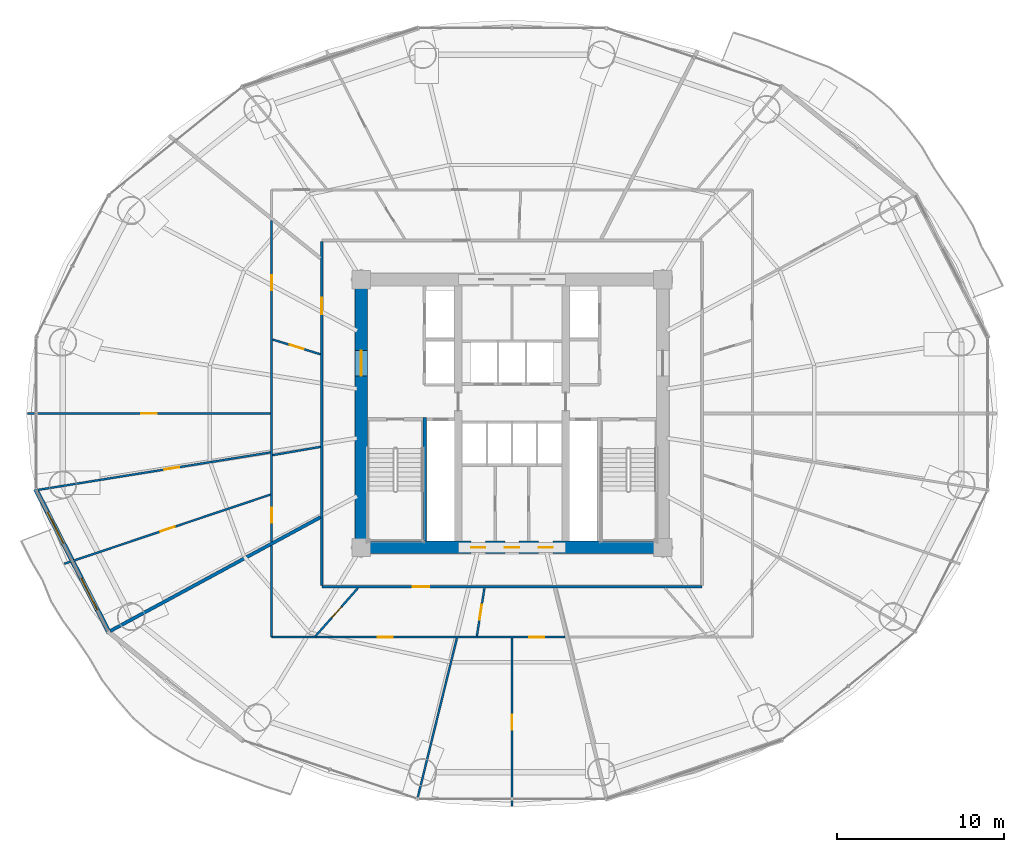
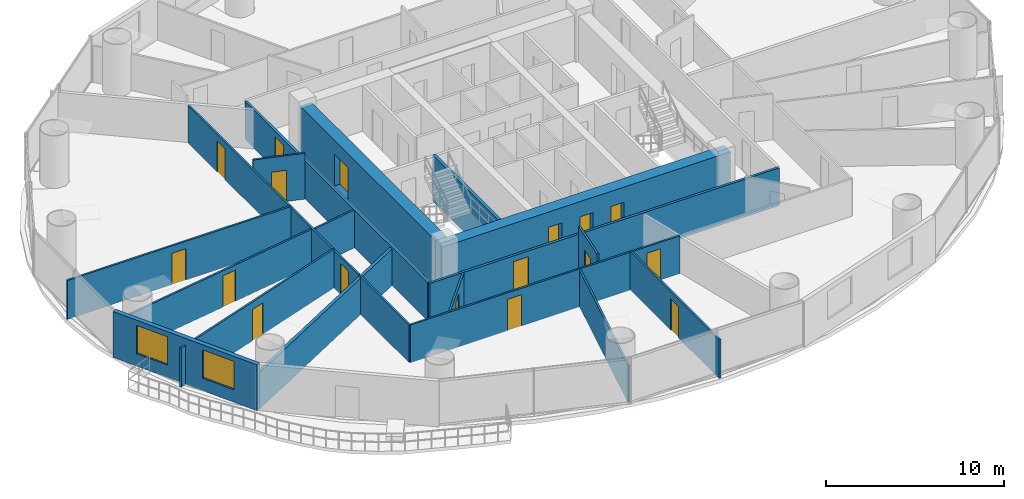
# One storey, part 22 of 29: 19 walls, 17 doors, 2 windows, 19 openings.
"""IFC4 building model written with IfcOpenShell, lengths in metres."""

from ifc_helpers import new_model, si_unit, direction, frame, frame_2d, origin, place, context, subcontext, project, spatial, rectangle, extrude, source, transform, mapped, material, layer, layer_set, type_object, element, fill, save


model = new_model("IFC4")

# Units and contexts
model_context = context("Model", 3, precision=1e-05, world=origin(), true_north=direction((-0.2419218956, 0.970295726276)))
body_context = subcontext(model_context, "Body", "Model", "MODEL_VIEW")
ifc_project = project(units=[si_unit("LENGTHUNIT", "METRE"), si_unit("AREAUNIT", "SQUARE_METRE"), si_unit("VOLUMEUNIT", "CUBIC_METRE"), si_unit("PLANEANGLEUNIT", "RADIAN"), si_unit("MASSUNIT", "GRAM", prefix="KILO")], contexts=[model_context])

# Site, building, storey
site_placement = place(None, origin())
site = spatial("IfcSite", under=ifc_project, at=site_placement, CompositionType="ELEMENT")
building_placement = place(site_placement, origin())
building = spatial("IfcBuilding", under=site, at=building_placement, Name="Cobrevalo Terracotta Tower", CompositionType="ELEMENT")
storey_placement = place(building_placement, frame((0.0, 0.0, 70.800048828125)))
storey = spatial("IfcBuildingStorey", under=building, at=storey_placement, Name="L18", CompositionType="ELEMENT", Elevation=70.800048828125)

# Wall, openings, doors
ifc_material_1 = material(Name="Concrete C60", Category="concrete")
ifc_layer_1 = layer(ifc_material_1, 0.75)
ifc_layer_set_1 = layer_set([ifc_layer_1], Name="Concrete C60")
wall_type_1 = type_object("IfcWallType", Name="Core shear wall 750 mm Concrete C60", PredefinedType="SHEAR", material=ifc_layer_set_1)
wall_1_placement = place(storey_placement, frame((28.625, 18.800048828125, 0.0), z_axis=(0.0, 0.0, 1.0), x_axis=(1.0, 0.0, 0.0)))
wall_1 = element("IfcWall", 1, at=wall_1_placement, inside=storey, type_object=wall_type_1, Name="L18 south core shear wall", PredefinedType="SHEAR", context=body_context, shape_type="SweptSolid", body=[
    extrude(rectangle(XDim=18.75, YDim=0.75, at=frame_2d((9.375, 0.0))), origin(), (0.0, 0.0, 1.0), 3.14990234375),
])
opening_1_placement = place(wall_1_placement, frame((6.927490234375, 0.0, 0.0)))
opening_1 = element("IfcOpeningElement", 2, at=opening_1_placement, cuts=wall_1, Name="Opening ID-22", PredefinedType="OPENING", context=body_context, shape_type="SweptSolid", body=[
    extrude(rectangle(XDim=0.85009765625, YDim=2.10009765625, at=frame_2d((0.425048828125, 1.050048828125))), frame((0.0, 0.385009765625, 0.0), z_axis=(0.0, -1.0, 0.0), x_axis=(1.0, 0.0, 0.0)), (0.0, 0.0, 1.0), 0.77001953125),
])
opening_2_placement = place(wall_1_placement, frame((8.949951171875, 0.0, 0.0)))
opening_2 = element("IfcOpeningElement", 3, at=opening_2_placement, cuts=wall_1, Name="Opening ID-22", PredefinedType="OPENING", context=body_context, shape_type="SweptSolid", body=[
    extrude(rectangle(XDim=0.85009765625, YDim=2.10009765625, at=frame_2d((0.425048828125, 1.050048828125))), frame((0.0, 0.385009765625, 0.0), z_axis=(0.0, -1.0, 0.0), x_axis=(1.0, 0.0, 0.0)), (0.0, 0.0, 1.0), 0.77001953125),
])
opening_3_placement = place(wall_1_placement, frame((10.972412109375, 0.0, 0.0)))
opening_3 = element("IfcOpeningElement", 4, at=opening_3_placement, cuts=wall_1, Name="Opening ID-22", PredefinedType="OPENING", context=body_context, shape_type="SweptSolid", body=[
    extrude(rectangle(XDim=0.85009765625, YDim=2.10009765625, at=frame_2d((0.425048828125, 1.050048828125))), frame((0.0, 0.385009765625, 0.0), z_axis=(0.0, -1.0, 0.0), x_axis=(1.0, 0.0, 0.0)), (0.0, 0.0, 1.0), 0.77001953125),
])
ifc_material_2 = material(Name="Powder-coated steel", Category="steel")
door_type_1 = type_object("IfcDoorType", Name="Riser shaft & meter closet fire access door 850x2100 EI 60", OperationType="NOTDEFINED", PredefinedType="DOOR", material=ifc_material_2)
shared_shape_1 = source(origin(), body_context, "Body", "SweptSolid", [
    extrude(rectangle(XDim=0.85009765625, YDim=2.10009765625, at=frame_2d((0.425048828125, 1.050048828125))), frame((0.0, 0.02490234375, 0.0), z_axis=(0.0, -1.0, 0.0), x_axis=(1.0, 0.0, 0.0)), (0.0, 0.0, 1.0), 0.050048828125),
])
door_1_placement = place(opening_1_placement, origin())
door_1 = element("IfcDoor", 5, at=door_1_placement, inside=storey, type_object=door_type_1, Name="L18 core south plant door HVAC Supply Air Plant", OperationType="SINGLE_SWING_RIGHT", OverallHeight=2.10009765625, OverallWidth=0.85009765625, PredefinedType="DOOR", context=body_context, shape_type="MappedRepresentation", body=[
    mapped(shared_shape_1, transform((0.0, 0.0, 0.0), scale=1.0)),
])
fill(opening_1, door_1)
door_2_placement = place(opening_2_placement, origin())
door_2 = element("IfcDoor", 6, at=door_2_placement, inside=storey, type_object=door_type_1, Name="L18 core south plant door Refuse Chute Store Room", OperationType="SINGLE_SWING_RIGHT", OverallHeight=2.10009765625, OverallWidth=0.85009765625, PredefinedType="DOOR", context=body_context, shape_type="MappedRepresentation", body=[
    mapped(shared_shape_1, transform((0.0, 0.0, 0.0), scale=1.0)),
])
fill(opening_2, door_2)
door_3_placement = place(opening_3_placement, origin())
door_3 = element("IfcDoor", 7, at=door_3_placement, inside=storey, type_object=door_type_1, Name="L18 core south plant door Hydronic Pump Manifold Plant", OperationType="SINGLE_SWING_RIGHT", OverallHeight=2.10009765625, OverallWidth=0.85009765625, PredefinedType="DOOR", context=body_context, shape_type="MappedRepresentation", body=[
    mapped(shared_shape_1, transform((0.0, 0.0, 0.0), scale=1.0)),
])
fill(opening_3, door_3)

# Wall, opening, door
wall_2_placement = place(storey_placement, frame((29.0, 19.175048828125, 0.0), z_axis=(0.0, 0.0, 1.0), x_axis=(0.0, 1.0, 0.0)))
wall_2 = element("IfcWall", 8, at=wall_2_placement, inside=storey, type_object=wall_type_1, Name="L18 west core shear wall", PredefinedType="SHEAR", context=body_context, shape_type="SweptSolid", body=[
    extrude(rectangle(XDim=15.25, YDim=0.75, at=frame_2d((7.625, 0.0))), origin(), (0.0, 0.0, 1.0), 3.14990234375),
])
opening_4_placement = place(wall_2_placement, frame((9.875, 0.0, 0.0)))
opening_4 = element("IfcOpeningElement", 9, at=opening_4_placement, cuts=wall_2, Name="Opening ID-14", PredefinedType="OPENING", context=body_context, shape_type="SweptSolid", body=[
    extrude(rectangle(XDim=1.5, YDim=2.199951171875, at=frame_2d((0.75, 1.10009765625))), frame((0.0, 0.385009765625, 0.0), z_axis=(0.0, -1.0, 0.0), x_axis=(1.0, 0.0, 0.0)), (0.0, 0.0, 1.0), 0.77001953125),
])
ifc_material_3 = material(Name="Galvanized fire-rated steel", Category="steel")
door_type_2 = type_object("IfcDoorType", Name="Core cross-lobby double fire door 1500x2200 EI 90", OperationType="NOTDEFINED", PredefinedType="DOOR", material=ifc_material_3)
shared_shape_2 = source(origin(), body_context, "Body", "SweptSolid", [
    extrude(rectangle(XDim=1.5, YDim=2.199951171875, at=frame_2d((0.75, 1.10009765625))), frame((0.0, 0.02490234375, 0.0), z_axis=(0.0, -1.0, 0.0), x_axis=(1.0, 0.0, 0.0)), (0.0, 0.0, 1.0), 0.050048828125),
])
door_4_placement = place(opening_4_placement, origin())
door_4 = element("IfcDoor", 10, at=door_4_placement, inside=storey, type_object=door_type_2, Name="L18 west firefighting lobby entrance door", OperationType="DOUBLE_DOOR_SINGLE_SWING", OverallHeight=2.199951171875, OverallWidth=1.5, PredefinedType="DOOR", context=body_context, shape_type="MappedRepresentation", body=[
    mapped(shared_shape_2, transform((0.0, 0.0, 0.0), scale=1.0)),
])
fill(opening_4, door_4)

ifc_material_4 = material(Name="Gypsum board on steel stud", Category="steel")
ifc_layer_2 = layer(ifc_material_4, 0.159912109375)
ifc_layer_set_2 = layer_set([ifc_layer_2], Name="Gypsum board on steel stud")
wall_type_2 = type_object("IfcWallType", Name="Fire-rated corridor acoustic partition wall 160 mm", PredefinedType="PARTITIONING", material=ifc_layer_set_2)
wall_3_placement = place(storey_placement, frame((26.64501953125, 16.445068359375, 0.0), z_axis=(0.0, 0.0, 1.0), x_axis=(1.0, 0.0, 0.0)))
wall_3 = element("IfcWall", 11, at=wall_3_placement, inside=storey, type_object=wall_type_2, Name="L18 interior partition IW-L18-COR-S", PredefinedType="PARTITIONING", context=body_context, shape_type="SweptSolid", body=[
    extrude(rectangle(XDim=22.7099609375, YDim=0.159912109375, at=frame_2d((11.35498046875, 0.0))), origin(), (0.0, 0.0, 1.0), 2.595947265625),
])
opening_5_placement = place(wall_3_placement, frame((5.419189453125, 0.0, 0.0)))
opening_5 = element("IfcOpeningElement", 12, at=opening_5_placement, cuts=wall_3, Name="Opening ID-05", PredefinedType="OPENING", context=body_context, shape_type="SweptSolid", body=[
    extrude(rectangle(XDim=0.97998046875, YDim=2.199951171875, at=frame_2d((0.489990234375, 1.10009765625))), frame((0.0, 0.08984375, 0.0), z_axis=(0.0, -1.0, 0.0), x_axis=(1.0, 0.0, 0.0)), (0.0, 0.0, 1.0), 0.179931640625),
])
ifc_material_5 = material(Name="Solid hardwood timber", Category="wood")
door_type_3 = type_object("IfcDoorType", Name="Residence entrance fire-rated acoustic timber door 980x2200 EI 60", OperationType="NOTDEFINED", PredefinedType="DOOR", material=ifc_material_5)
shared_shape_3 = source(origin(), body_context, "Body", "SweptSolid", [
    extrude(rectangle(XDim=0.97998046875, YDim=2.199951171875, at=frame_2d((0.489990234375, 1.10009765625))), frame((0.0, 0.02490234375, 0.0), z_axis=(0.0, -1.0, 0.0), x_axis=(1.0, 0.0, 0.0)), (0.0, 0.0, 1.0), 0.050048828125),
])
door_5_placement = place(opening_5_placement, frame((0.97998046875, 0.0, 0.0), z_axis=(0.0, 0.0, 1.0), x_axis=(-1.0, 0.0, 0.0)))
door_5 = element("IfcDoor", 13, at=door_5_placement, inside=storey, type_object=door_type_3, Name="Flat L18D fire-rated apartment entrance door", OperationType="SINGLE_SWING_RIGHT", OverallHeight=2.199951171875, OverallWidth=0.97998046875, PredefinedType="DOOR", context=body_context, shape_type="MappedRepresentation", body=[
    mapped(shared_shape_3, transform((0.0, 0.0, 0.0), scale=1.0)),
])
fill(opening_5, door_5)

wall_4_placement = place(storey_placement, frame((26.64501953125, 16.52490234375, 0.0), z_axis=(0.0, 0.0, 1.0), x_axis=(0.0, 1.0, 0.0)))
wall_4 = element("IfcWall", 14, at=wall_4_placement, inside=storey, type_object=wall_type_2, Name="L18 interior partition IW-L18-COR-W", PredefinedType="PARTITIONING", context=body_context, shape_type="SweptSolid", body=[
    extrude(rectangle(XDim=20.550048828125, YDim=0.159912109375, at=frame_2d((10.27490234375, 0.0))), origin(), (0.0, 0.0, 1.0), 2.595947265625),
])
opening_6_placement = place(wall_4_placement, frame((16.19873046875, 0.0, 0.0)))
opening_6 = element("IfcOpeningElement", 15, at=opening_6_placement, cuts=wall_4, Name="Opening ID-05", PredefinedType="OPENING", context=body_context, shape_type="SweptSolid", body=[
    extrude(rectangle(XDim=0.97998046875, YDim=2.199951171875, at=frame_2d((0.489990234375, 1.10009765625))), frame((0.0, 0.08984375, 0.0), z_axis=(0.0, -1.0, 0.0), x_axis=(1.0, 0.0, 0.0)), (0.0, 0.0, 1.0), 0.179931640625),
])
door_6_placement = place(opening_6_placement, origin())
door_6 = element("IfcDoor", 16, at=door_6_placement, inside=storey, type_object=door_type_3, Name="Flat L18C fire-rated apartment entrance door", OperationType="SINGLE_SWING_LEFT", OverallHeight=2.199951171875, OverallWidth=0.97998046875, PredefinedType="DOOR", context=body_context, shape_type="MappedRepresentation", body=[
    mapped(shared_shape_3, transform((0.0, 0.0, 0.0), scale=1.0)),
])
fill(opening_6, door_6)

# Wall
ifc_material_6 = material(Name="Autoclaved aerated concrete block", Category="concrete")
ifc_layer_3 = layer(ifc_material_6, 0.199951171875)
ifc_layer_set_3 = layer_set([ifc_layer_3], Name="Autoclaved aerated concrete block")
wall_type_3 = type_object("IfcWallType", Name="Fire-rated stair, shaft & demising masonry wall 200 mm", PredefinedType="PARTITIONING", material=ifc_layer_set_3)
wall_5_placement = place(storey_placement, frame((26.56494140625, 20.6083984375, 0.0), z_axis=(0.0, 0.0, 1.0), x_axis=(-0.879369737803, -0.476139542819, 0.0)))
element("IfcWall", 17, at=wall_5_placement, inside=storey, type_object=wall_type_3, Name="L18 interior partition IW-L18-DEM-4", PredefinedType="PARTITIONING", context=body_context, shape_type="SweptSolid", body=[
    extrude(rectangle(XDim=14.294921875, YDim=0.199951171875, at=frame_2d((7.1474609375, 0.0))), origin(), (0.0, 0.0, 1.0), 2.5),
])

# Wall, openings, windows
ifc_layer_4 = layer(ifc_material_6, 0.280029296875)
ifc_layer_set_4 = layer_set([ifc_layer_4], Name="Autoclaved aerated concrete block")
wall_type_4 = type_object("IfcWallType", Name="Insulated tower spandrel & pier wall 280 mm with terracotta rainscreen", PredefinedType="SOLIDWALL", material=ifc_layer_set_4)
wall_6_placement = place(storey_placement, frame((9.55029296875, 22.29248046875, 0.0), z_axis=(0.0, 0.0, 1.0), x_axis=(0.455220575541, -0.890378698984, 0.0)))
wall_6 = element("IfcWall", 18, at=wall_6_placement, inside=storey, type_object=wall_type_4, Name="L18 terracotta rainscreen pier wall S09", PredefinedType="SOLIDWALL", context=body_context, shape_type="SweptSolid", body=[
    extrude(rectangle(XDim=9.662109375, YDim=0.280029296875, at=frame_2d((4.8310546875, 0.0))), origin(), (0.0, 0.0, 1.0), 3.14990234375),
])
opening_7_placement = place(wall_6_placement, frame((1.558837890625, 0.0, 0.85009765625)))
opening_7 = element("IfcOpeningElement", 19, at=opening_7_placement, cuts=wall_6, Name="Opening WN-10", PredefinedType="OPENING", context=body_context, shape_type="SweptSolid", body=[
    extrude(rectangle(XDim=2.10009765625, YDim=1.949951171875, at=frame_2d((1.050048828125, 0.97509765625))), frame((0.0, 0.14990234375, 0.0), z_axis=(0.0, -1.0, 0.0), x_axis=(1.0, 0.0, 0.0)), (0.0, 0.0, 1.0), 0.300048828125),
])
opening_8_placement = place(wall_6_placement, frame((6.00341796875, 0.0, 0.85009765625)))
opening_8 = element("IfcOpeningElement", 20, at=opening_8_placement, cuts=wall_6, Name="Opening WN-10", PredefinedType="OPENING", context=body_context, shape_type="SweptSolid", body=[
    extrude(rectangle(XDim=2.10009765625, YDim=1.949951171875, at=frame_2d((1.050048828125, 0.97509765625))), frame((0.0, 0.14990234375, 0.0), z_axis=(0.0, -1.0, 0.0), x_axis=(1.0, 0.0, 0.0)), (0.0, 0.0, 1.0), 0.300048828125),
])
ifc_material_7 = material(Name="Solar-control low-E double glazing", Category="glass")
window_type = type_object("IfcWindowType", Name="Wide panoramic low-E aluminium window 2100x1950", PartitioningType="SINGLE_PANEL", PredefinedType="WINDOW", material=ifc_material_7)
shared_shape_4 = source(origin(), body_context, "Body", "SweptSolid", [
    extrude(rectangle(XDim=2.10009765625, YDim=1.949951171875, at=frame_2d((1.050048828125, 0.97509765625))), frame((0.0, 0.030029296875, 0.0), z_axis=(0.0, -1.0, 0.0), x_axis=(1.0, 0.0, 0.0)), (0.0, 0.0, 1.0), 0.06005859375),
])
window_1_placement = place(opening_7_placement, origin())
window_1 = element("IfcWindow", 21, at=window_1_placement, inside=storey, type_object=window_type, Name="L18 suite window S09A", OverallHeight=1.949951171875, OverallWidth=2.10009765625, PartitioningType="SINGLE_PANEL", PredefinedType="WINDOW", context=body_context, shape_type="MappedRepresentation", body=[
    mapped(shared_shape_4, transform((0.0, 0.0, 0.0), scale=1.0)),
])
fill(opening_7, window_1)
window_2_placement = place(opening_8_placement, origin())
window_2 = element("IfcWindow", 22, at=window_2_placement, inside=storey, type_object=window_type, Name="L18 suite window S09B", OverallHeight=1.949951171875, OverallWidth=2.10009765625, PartitioningType="SINGLE_PANEL", PredefinedType="WINDOW", context=body_context, shape_type="MappedRepresentation", body=[
    mapped(shared_shape_4, transform((0.0, 0.0, 0.0), scale=1.0)),
])
fill(opening_8, window_2)

# Wall, openings, doors
ifc_layer_5 = layer(ifc_material_4, 0.1201171875)
ifc_layer_set_5 = layer_set([ifc_layer_5], Name="Gypsum board on steel stud")
wall_type_5 = type_object("IfcWallType", Name="Residential internal acoustic stud partition 120 mm", PredefinedType="PARTITIONING", material=ifc_layer_set_5)
wall_7_placement = place(storey_placement, frame((23.64501953125, 19.12939453125, 0.0), z_axis=(0.0, 0.0, 1.0), x_axis=(0.0, 1.0, 0.0)))
wall_7 = element("IfcWall", 23, at=wall_7_placement, inside=storey, type_object=wall_type_5, Name="L18 interior partition IW-L18-U3-RING0_0", PredefinedType="PARTITIONING", context=body_context, shape_type="SweptSolid", body=[
    extrude(rectangle(XDim=19.201171875, YDim=0.1201171875, at=frame_2d((9.6005859375, 0.0))), origin(), (0.0, 0.0, 1.0), 2.595947265625),
])
opening_9_placement = place(wall_7_placement, frame((15.038330078125, 0.0, 0.0)))
opening_9 = element("IfcOpeningElement", 24, at=opening_9_placement, cuts=wall_7, Name="Opening ID-12", PredefinedType="OPENING", context=body_context, shape_type="SweptSolid", body=[
    extrude(rectangle(XDim=0.89990234375, YDim=2.14990234375, at=frame_2d((0.449951171875, 1.074951171875))), frame((0.0, 0.070068359375, 0.0), z_axis=(0.0, -1.0, 0.0), x_axis=(1.0, 0.0, 0.0)), (0.0, 0.0, 1.0), 0.14013671875),
])
opening_10_placement = place(wall_7_placement, frame((1.135986328125, 0.0, 0.0)))
opening_10 = element("IfcOpeningElement", 25, at=opening_10_placement, cuts=wall_7, Name="Opening ID-12", PredefinedType="OPENING", context=body_context, shape_type="SweptSolid", body=[
    extrude(rectangle(XDim=0.89990234375, YDim=2.14990234375, at=frame_2d((0.449951171875, 1.074951171875))), frame((0.0, 0.070068359375, 0.0), z_axis=(0.0, -1.0, 0.0), x_axis=(1.0, 0.0, 0.0)), (0.0, 0.0, 1.0), 0.14013671875),
])
ifc_material_8 = material(Name="Engineered timber", Category="wood")
door_type_4 = type_object("IfcDoorType", Name="Internal residence & suite timber door 900x2150", OperationType="NOTDEFINED", PredefinedType="DOOR", material=ifc_material_8)
shared_shape_5 = source(origin(), body_context, "Body", "SweptSolid", [
    extrude(rectangle(XDim=0.89990234375, YDim=2.14990234375, at=frame_2d((0.449951171875, 1.074951171875))), frame((0.0, 0.02490234375, 0.0), z_axis=(0.0, -1.0, 0.0), x_axis=(1.0, 0.0, 0.0)), (0.0, 0.0, 1.0), 0.050048828125),
])
door_7_placement = place(opening_9_placement, origin())
door_7 = element("IfcDoor", 26, at=door_7_placement, inside=storey, type_object=door_type_4, Name="Flat L18C Penthouse Living and Dining Room internal door", OperationType="SINGLE_SWING_LEFT", OverallHeight=2.14990234375, OverallWidth=0.89990234375, PredefinedType="DOOR", context=body_context, shape_type="MappedRepresentation", body=[
    mapped(shared_shape_5, transform((0.0, 0.0, 0.0), scale=1.0)),
])
fill(opening_9, door_7)
door_8_placement = place(opening_10_placement, frame((0.89990234375, 0.0, 0.0), z_axis=(0.0, 0.0, 1.0), x_axis=(-1.0, 0.0, 0.0)))
door_8 = element("IfcDoor", 27, at=door_8_placement, inside=storey, type_object=door_type_4, Name="Flat L18C Kitchen internal door", OperationType="SINGLE_SWING_LEFT", OverallHeight=2.14990234375, OverallWidth=0.89990234375, PredefinedType="DOOR", context=body_context, shape_type="MappedRepresentation", body=[
    mapped(shared_shape_5, transform((0.0, 0.0, 0.0), scale=1.0)),
])
fill(opening_10, door_8)

# Wall, opening, door
wall_8_placement = place(storey_placement, frame((23.5830078125, 26.800048828125, 0.0), z_axis=(0.0, 0.0, 1.0), x_axis=(-1.0, 0.0, 0.0)))
wall_8 = element("IfcWall", 28, at=wall_8_placement, inside=storey, type_object=wall_type_5, Name="L18 interior partition IW-L18-U3-ORAD1", PredefinedType="PARTITIONING", context=body_context, shape_type="SweptSolid", body=[
    extrude(rectangle(XDim=14.52294921875, YDim=0.1201171875, at=frame_2d((7.261474609375, 0.0))), origin(), (0.0, 0.0, 1.0), 2.666015625),
])
opening_11_placement = place(wall_8_placement, frame((6.8115234375, 0.0, 0.0)))
opening_11 = element("IfcOpeningElement", 29, at=opening_11_placement, cuts=wall_8, Name="Opening ID-12", PredefinedType="OPENING", context=body_context, shape_type="SweptSolid", body=[
    extrude(rectangle(XDim=0.89990234375, YDim=2.14990234375, at=frame_2d((0.449951171875, 1.074951171875))), frame((0.0, 0.070068359375, 0.0), z_axis=(0.0, -1.0, 0.0), x_axis=(1.0, 0.0, 0.0)), (0.0, 0.0, 1.0), 0.14013671875),
])
door_9_placement = place(opening_11_placement, origin())
door_9 = element("IfcDoor", 30, at=door_9_placement, inside=storey, type_object=door_type_4, Name="Flat L18C Master Bedroom internal door", OperationType="SINGLE_SWING_RIGHT", OverallHeight=2.14990234375, OverallWidth=0.89990234375, PredefinedType="DOOR", context=body_context, shape_type="MappedRepresentation", body=[
    mapped(shared_shape_5, transform((0.0, 0.0, 0.0), scale=1.0)),
])
fill(opening_11, door_9)

wall_9_placement = place(storey_placement, frame((23.583740234375, 24.476318359375, 0.0), z_axis=(0.0, 0.0, 1.0), x_axis=(-0.987257727093, -0.159129445092, 0.0)))
wall_9 = element("IfcWall", 31, at=wall_9_placement, inside=storey, type_object=wall_type_5, Name="L18 interior partition IW-L18-U3-ORAD2M1", PredefinedType="PARTITIONING", context=body_context, shape_type="SweptSolid", body=[
    extrude(rectangle(XDim=14.085693359375, YDim=0.1201171875, at=frame_2d((7.04296875, 0.0))), origin(), (0.0, 0.0, 1.0), 2.5),
])
opening_12_placement = place(wall_9_placement, frame((5.52294921875, 0.0, 0.0)))
opening_12 = element("IfcOpeningElement", 32, at=opening_12_placement, cuts=wall_9, Name="Opening ID-12", PredefinedType="OPENING", context=body_context, shape_type="SweptSolid", body=[
    extrude(rectangle(XDim=0.89990234375, YDim=2.14990234375, at=frame_2d((0.449951171875, 1.074951171875))), frame((0.0, 0.070068359375, 0.0), z_axis=(0.0, -1.0, 0.0), x_axis=(1.0, 0.0, 0.0)), (0.0, 0.0, 1.0), 0.14013671875),
])
door_10_placement = place(opening_12_placement, origin())
door_10 = element("IfcDoor", 33, at=door_10_placement, inside=storey, type_object=door_type_4, Name="Flat L18C Penthouse Family Lounge internal door", OperationType="SINGLE_SWING_LEFT", OverallHeight=2.14990234375, OverallWidth=0.89990234375, PredefinedType="DOOR", context=body_context, shape_type="MappedRepresentation", body=[
    mapped(shared_shape_5, transform((0.0, 0.0, 0.0), scale=1.0)),
])
fill(opening_12, door_10)

wall_10_placement = place(storey_placement, frame((23.586181640625, 21.9619140625, 0.0), z_axis=(0.0, 0.0, 1.0), x_axis=(-0.948021751459, -0.318205529118, 0.0)))
wall_10 = element("IfcWall", 34, at=wall_10_placement, inside=storey, type_object=wall_type_5, Name="L18 interior partition IW-L18-U3-ORAD2M2", PredefinedType="PARTITIONING", context=body_context, shape_type="SweptSolid", body=[
    extrude(rectangle(XDim=12.993896484375, YDim=0.1201171875, at=frame_2d((6.4970703125, 0.0))), origin(), (0.0, 0.0, 1.0), 2.666015625),
])
opening_13_placement = place(wall_10_placement, frame((6.047119140625, 0.0, 0.0)))
opening_13 = element("IfcOpeningElement", 35, at=opening_13_placement, cuts=wall_10, Name="Opening ID-12", PredefinedType="OPENING", context=body_context, shape_type="SweptSolid", body=[
    extrude(rectangle(XDim=0.89990234375, YDim=2.14990234375, at=frame_2d((0.449951171875, 1.074951171875))), frame((0.0, 0.070068359375, 0.0), z_axis=(0.0, -1.0, 0.0), x_axis=(1.0, 0.0, 0.0)), (0.0, 0.0, 1.0), 0.14013671875),
])
door_11_placement = place(opening_13_placement, origin())
door_11 = element("IfcDoor", 36, at=door_11_placement, inside=storey, type_object=door_type_4, Name="Flat L18C Penthouse Family Lounge internal door", OperationType="SINGLE_SWING_RIGHT", OverallHeight=2.14990234375, OverallWidth=0.89990234375, PredefinedType="DOOR", context=body_context, shape_type="MappedRepresentation", body=[
    mapped(shared_shape_5, transform((0.0, 0.0, 0.0), scale=1.0)),
])
fill(opening_13, door_11)

wall_11_placement = place(storey_placement, frame((26.56494140625, 30.333984375, 0.0), z_axis=(0.0, 0.0, 1.0), x_axis=(-0.955416861585, 0.295260259093, 0.0)))
wall_11 = element("IfcWall", 37, at=wall_11_placement, inside=storey, type_object=wall_type_5, Name="L18 interior partition IW-L18-U3-IRAD1", PredefinedType="PARTITIONING", context=body_context, shape_type="SweptSolid", body=[
    extrude(rectangle(XDim=2.994140625, YDim=0.1201171875, at=frame_2d((1.4970703125, 0.0))), origin(), (0.0, 0.0, 1.0), 3.14990234375),
])
opening_14_placement = place(wall_11_placement, frame((1.067138671875, 0.0, 0.0)))
opening_14 = element("IfcOpeningElement", 38, at=opening_14_placement, cuts=wall_11, Name="Opening ID-19", PredefinedType="OPENING", context=body_context, shape_type="SweptSolid", body=[
    extrude(rectangle(XDim=0.860107421875, YDim=2.14990234375, at=frame_2d((0.43017578125, 1.074951171875))), frame((0.0, 0.070068359375, 0.0), z_axis=(0.0, -1.0, 0.0), x_axis=(1.0, 0.0, 0.0)), (0.0, 0.0, 1.0), 0.14013671875),
])
ifc_material_9 = material(Name="Moisture-sealed timber", Category="wood")
door_type_5 = type_object("IfcDoorType", Name="Suite bathroom internal timber door 860x2150", OperationType="NOTDEFINED", PredefinedType="DOOR", material=ifc_material_9)
shared_shape_6 = source(origin(), body_context, "Body", "SweptSolid", [
    extrude(rectangle(XDim=0.860107421875, YDim=2.14990234375, at=frame_2d((0.43017578125, 1.074951171875))), frame((0.0, 0.02490234375, 0.0), z_axis=(0.0, -1.0, 0.0), x_axis=(1.0, 0.0, 0.0)), (0.0, 0.0, 1.0), 0.050048828125),
])
door_12_placement = place(opening_14_placement, origin())
door_12 = element("IfcDoor", 39, at=door_12_placement, inside=storey, type_object=door_type_5, Name="Flat L18C Primary Bathroom internal door", OperationType="SINGLE_SWING_RIGHT", OverallHeight=2.14990234375, OverallWidth=0.860107421875, PredefinedType="DOOR", context=body_context, shape_type="MappedRepresentation", body=[
    mapped(shared_shape_6, transform((0.0, 0.0, 0.0), scale=1.0)),
])
fill(opening_14, door_12)

# Wall
wall_12_placement = place(storey_placement, frame((26.56494140625, 24.809814453125, 0.0), z_axis=(0.0, 0.0, 1.0), x_axis=(-0.985190752909, -0.171461891924, 0.0)))
element("IfcWall", 40, at=wall_12_placement, inside=storey, type_object=wall_type_5, Name="L18 interior partition IW-L18-U3-IRAD2", PredefinedType="PARTITIONING", context=body_context, shape_type="SweptSolid", body=[
    extrude(rectangle(XDim=2.90185546875, YDim=0.1201171875, at=frame_2d((1.450927734375, 0.0))), origin(), (0.0, 0.0, 1.0), 2.595947265625),
])

# Wall, openings, doors
wall_13_placement = place(storey_placement, frame((41.17626953125, 13.445068359375, 0.0), z_axis=(0.0, 0.0, 1.0), x_axis=(-1.0, 0.0, 0.0)))
wall_13 = element("IfcWall", 41, at=wall_13_placement, inside=storey, type_object=wall_type_5, Name="L18 interior partition IW-L18-U4-RING0_0", PredefinedType="PARTITIONING", context=body_context, shape_type="SweptSolid", body=[
    extrude(rectangle(XDim=17.53125, YDim=0.1201171875, at=frame_2d((8.765625, 0.0))), origin(), (0.0, 0.0, 1.0), 2.595947265625),
])
opening_15_placement = place(wall_13_placement, frame((10.298828125, 0.0, 0.0)))
opening_15 = element("IfcOpeningElement", 42, at=opening_15_placement, cuts=wall_13, Name="Opening ID-12", PredefinedType="OPENING", context=body_context, shape_type="SweptSolid", body=[
    extrude(rectangle(XDim=0.89990234375, YDim=2.14990234375, at=frame_2d((0.449951171875, 1.074951171875))), frame((0.0, 0.070068359375, 0.0), z_axis=(0.0, -1.0, 0.0), x_axis=(1.0, 0.0, 0.0)), (0.0, 0.0, 1.0), 0.14013671875),
])
opening_16_placement = place(wall_13_placement, frame((1.258056640625, 0.0, 0.0)))
opening_16 = element("IfcOpeningElement", 43, at=opening_16_placement, cuts=wall_13, Name="Opening ID-12", PredefinedType="OPENING", context=body_context, shape_type="SweptSolid", body=[
    extrude(rectangle(XDim=0.89990234375, YDim=2.14990234375, at=frame_2d((0.449951171875, 1.074951171875))), frame((0.0, 0.070068359375, 0.0), z_axis=(0.0, -1.0, 0.0), x_axis=(1.0, 0.0, 0.0)), (0.0, 0.0, 1.0), 0.14013671875),
])
door_13_placement = place(opening_15_placement, origin())
door_13 = element("IfcDoor", 44, at=door_13_placement, inside=storey, type_object=door_type_4, Name="Flat L18D Penthouse Living and Dining Room internal door", OperationType="SINGLE_SWING_RIGHT", OverallHeight=2.14990234375, OverallWidth=0.89990234375, PredefinedType="DOOR", context=body_context, shape_type="MappedRepresentation", body=[
    mapped(shared_shape_5, transform((0.0, 0.0, 0.0), scale=1.0)),
])
fill(opening_15, door_13)
door_14_placement = place(opening_16_placement, origin())
door_14 = element("IfcDoor", 45, at=door_14_placement, inside=storey, type_object=door_type_4, Name="Flat L18D Penthouse Family Lounge internal door", OperationType="SINGLE_SWING_RIGHT", OverallHeight=2.14990234375, OverallWidth=0.89990234375, PredefinedType="DOOR", context=body_context, shape_type="MappedRepresentation", body=[
    mapped(shared_shape_5, transform((0.0, 0.0, 0.0), scale=1.0)),
])
fill(opening_16, door_14)

# Walls
wall_14_placement = place(storey_placement, frame((23.64501953125, 13.445068359375, 0.0), z_axis=(0.0, 0.0, 1.0), x_axis=(0.0, 1.0, 0.0)))
element("IfcWall", 46, at=wall_14_placement, inside=storey, type_object=wall_type_5, Name="L18 interior partition IW-L18-U4-RING1_0", PredefinedType="PARTITIONING", context=body_context, shape_type="SweptSolid", body=[
    extrude(rectangle(XDim=5.480224609375, YDim=0.1201171875, at=frame_2d((2.740234375, 0.0))), origin(), (0.0, 0.0, 1.0), 2.595947265625),
])
wall_15_placement = place(storey_placement, frame((34.70703125, 13.384765625, 0.0), z_axis=(0.0, 0.0, 1.0), x_axis=(-0.238386763388, -0.971170299711, 0.0)))
element("IfcWall", 47, at=wall_15_placement, inside=storey, type_object=wall_type_5, Name="L18 interior partition IW-L18-U4-ORAD1", PredefinedType="PARTITIONING", context=body_context, shape_type="SweptSolid", body=[
    extrude(rectangle(XDim=9.80810546875, YDim=0.1201171875, at=frame_2d((4.904052734375, 0.0))), origin(), (0.0, 0.0, 1.0), 2.5),
])

# Wall, opening, door
wall_16_placement = place(storey_placement, frame((38.0, 13.383056640625, 0.0), z_axis=(0.0, 0.0, 1.0), x_axis=(0.0, -1.0, 0.0)))
wall_16 = element("IfcWall", 48, at=wall_16_placement, inside=storey, type_object=wall_type_5, Name="L18 interior partition IW-L18-U4-ORAD2M1", PredefinedType="PARTITIONING", context=body_context, shape_type="SweptSolid", body=[
    extrude(rectangle(XDim=10.02294921875, YDim=0.1201171875, at=frame_2d((5.011474609375, 0.0))), origin(), (0.0, 0.0, 1.0), 2.666015625),
])
opening_17_placement = place(wall_16_placement, frame((4.5615234375, 0.0, 0.0)))
opening_17 = element("IfcOpeningElement", 49, at=opening_17_placement, cuts=wall_16, Name="Opening ID-12", PredefinedType="OPENING", context=body_context, shape_type="SweptSolid", body=[
    extrude(rectangle(XDim=0.89990234375, YDim=2.14990234375, at=frame_2d((0.449951171875, 1.074951171875))), frame((0.0, 0.070068359375, 0.0), z_axis=(0.0, -1.0, 0.0), x_axis=(1.0, 0.0, 0.0)), (0.0, 0.0, 1.0), 0.14013671875),
])
door_15_placement = place(opening_17_placement, frame((0.89990234375, 0.0, 0.0), z_axis=(0.0, 0.0, 1.0), x_axis=(-1.0, 0.0, 0.0)))
door_15 = element("IfcDoor", 50, at=door_15_placement, inside=storey, type_object=door_type_4, Name="Flat L18D Master Bedroom internal door", OperationType="SINGLE_SWING_LEFT", OverallHeight=2.14990234375, OverallWidth=0.89990234375, PredefinedType="DOOR", context=body_context, shape_type="MappedRepresentation", body=[
    mapped(shared_shape_5, transform((0.0, 0.0, 0.0), scale=1.0)),
])
fill(opening_17, door_15)

wall_17_placement = place(storey_placement, frame((28.790283203125, 16.364990234375, 0.0), z_axis=(0.0, 0.0, 1.0), x_axis=(-0.661718545222, -0.749752337048, 0.0)))
wall_17 = element("IfcWall", 51, at=wall_17_placement, inside=storey, type_object=wall_type_5, Name="L18 interior partition IW-L18-U4-IRAD1", PredefinedType="PARTITIONING", context=body_context, shape_type="SweptSolid", body=[
    extrude(rectangle(XDim=3.832763671875, YDim=0.1201171875, at=frame_2d((1.91650390625, 0.0))), origin(), (0.0, 0.0, 1.0), 2.595947265625),
])
opening_18_placement = place(wall_17_placement, frame((1.486328125, 0.0, 0.0)))
opening_18 = element("IfcOpeningElement", 52, at=opening_18_placement, cuts=wall_17, Name="Opening ID-19", PredefinedType="OPENING", context=body_context, shape_type="SweptSolid", body=[
    extrude(rectangle(XDim=0.860107421875, YDim=2.14990234375, at=frame_2d((0.43017578125, 1.074951171875))), frame((0.0, 0.070068359375, 0.0), z_axis=(0.0, -1.0, 0.0), x_axis=(1.0, 0.0, 0.0)), (0.0, 0.0, 1.0), 0.14013671875),
])
door_16_placement = place(opening_18_placement, frame((0.860107421875, 0.0, 0.0), z_axis=(0.0, 0.0, 1.0), x_axis=(-1.0, 0.0, 0.0)))
door_16 = element("IfcDoor", 53, at=door_16_placement, inside=storey, type_object=door_type_5, Name="Flat L18D Primary Bathroom internal door", OperationType="SINGLE_SWING_LEFT", OverallHeight=2.14990234375, OverallWidth=0.860107421875, PredefinedType="DOOR", context=body_context, shape_type="MappedRepresentation", body=[
    mapped(shared_shape_6, transform((0.0, 0.0, 0.0), scale=1.0)),
])
fill(opening_18, door_16)

wall_18_placement = place(storey_placement, frame((36.35302734375, 16.364990234375, 0.0), z_axis=(0.0, 0.0, 1.0), x_axis=(-0.155897593005, -0.987773223212, 0.0)))
wall_18 = element("IfcWall", 54, at=wall_18_placement, inside=storey, type_object=wall_type_5, Name="L18 interior partition IW-L18-U4-IRAD2", PredefinedType="PARTITIONING", context=body_context, shape_type="SweptSolid", body=[
    extrude(rectangle(XDim=2.89404296875, YDim=0.1201171875, at=frame_2d((1.447021484375, 0.0))), origin(), (0.0, 0.0, 1.0), 3.14990234375),
])
opening_19_placement = place(wall_18_placement, frame((0.9970703125, 0.0, 0.0)))
opening_19 = element("IfcOpeningElement", 55, at=opening_19_placement, cuts=wall_18, Name="Opening ID-12", PredefinedType="OPENING", context=body_context, shape_type="SweptSolid", body=[
    extrude(rectangle(XDim=0.89990234375, YDim=2.14990234375, at=frame_2d((0.449951171875, 1.074951171875))), frame((0.0, 0.070068359375, 0.0), z_axis=(0.0, -1.0, 0.0), x_axis=(1.0, 0.0, 0.0)), (0.0, 0.0, 1.0), 0.14013671875),
])
door_17_placement = place(opening_19_placement, origin())
door_17 = element("IfcDoor", 56, at=door_17_placement, inside=storey, type_object=door_type_4, Name="Flat L18D Kitchen internal door", OperationType="SINGLE_SWING_LEFT", OverallHeight=2.14990234375, OverallWidth=0.89990234375, PredefinedType="DOOR", context=body_context, shape_type="MappedRepresentation", body=[
    mapped(shared_shape_5, transform((0.0, 0.0, 0.0), scale=1.0)),
])
fill(opening_19, door_17)

# Wall
ifc_material_10 = material(Name="Concrete C50", Category="concrete")
ifc_layer_6 = layer(ifc_material_10, 0.199951171875)
ifc_layer_set_6 = layer_set([ifc_layer_6], Name="Concrete C50")
wall_type_6 = type_object("IfcWallType", Name="Structural core & podium stair-shaft RC wall 200 mm Concrete C50", PredefinedType="SOLIDWALL", material=ifc_layer_set_6)
wall_19_placement = place(storey_placement, frame((32.794921875, 19.175048828125, 0.0), z_axis=(0.0, 0.0, 1.0), x_axis=(0.0, 1.0, 0.0)))
element("IfcWall", 57, at=wall_19_placement, inside=storey, type_object=wall_type_6, Name="L18 ST-1 east structural shaft wall", PredefinedType="SOLIDWALL", context=body_context, shape_type="SweptSolid", body=[
    extrude(rectangle(XDim=7.375, YDim=0.199951171875, at=frame_2d((3.6875, 0.0))), origin(), (0.0, 0.0, 1.0), 3.14990234375),
])

save(model, "model.ifc")
